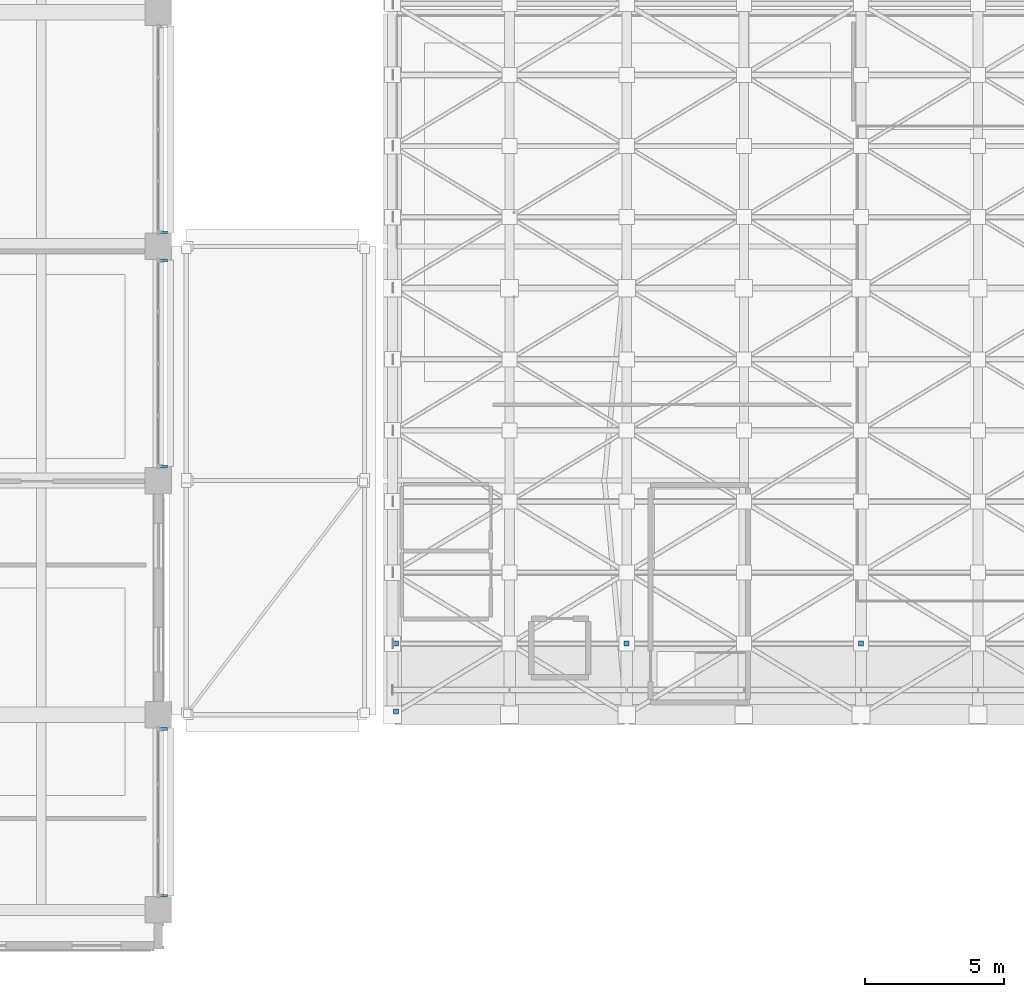
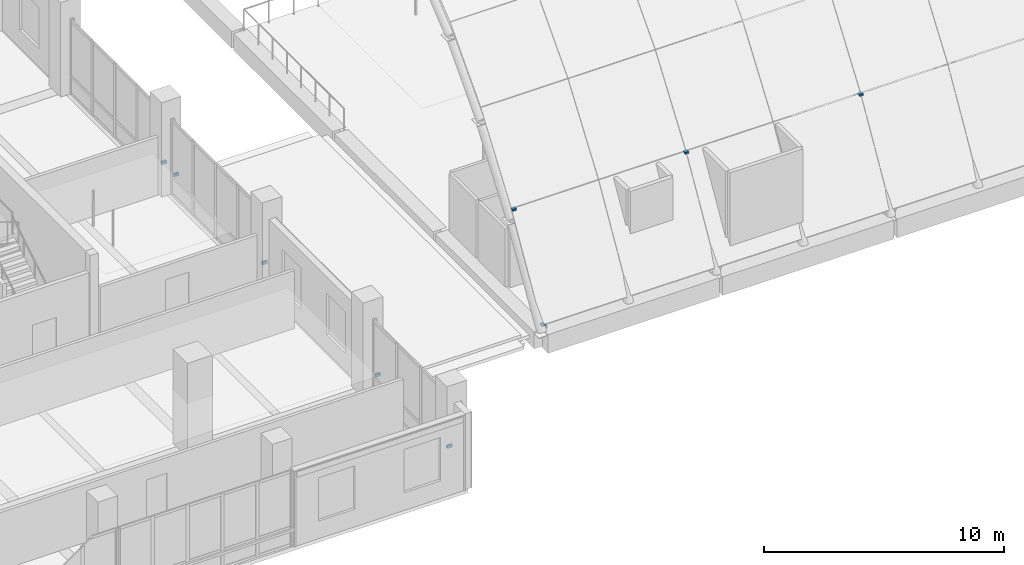
# One storey, part 80 of 128: 9 discrete accessories.
"""IFC4 building model written with IfcOpenShell, lengths in metres."""

from ifc_helpers import new_model, si_unit, direction, frame, origin, origin_2d, place, context, subcontext, project, spatial, rectangle, extrude, material, type_object, element, save


model = new_model("IFC4")

# Units and contexts
model_context = context("Model", 3, precision=1e-05, world=origin(), true_north=direction((0.0, 1.0)))
body_context = subcontext(model_context, "Body", "Model", "MODEL_VIEW")
ifc_project = project(units=[si_unit("LENGTHUNIT", "METRE"), si_unit("AREAUNIT", "SQUARE_METRE"), si_unit("VOLUMEUNIT", "CUBIC_METRE"), si_unit("PLANEANGLEUNIT", "RADIAN"), si_unit("MASSUNIT", "GRAM", prefix="KILO")], contexts=[model_context])

# Site, building, storey
site_placement = place(None, origin())
site = spatial("IfcSite", under=ifc_project, at=site_placement, CompositionType="ELEMENT")
building_placement = place(site_placement, origin())
building = spatial("IfcBuilding", under=site, at=building_placement, Name="Telukmera Botanical Conservatory", CompositionType="ELEMENT")
storey_placement = place(building_placement, frame((0.0, 0.0, 5.39990234375)))
storey = spatial("IfcBuildingStorey", under=building, at=storey_placement, Name="L01", CompositionType="ELEMENT", Elevation=5.39990234375)

# Discrete accessories
ifc_material = material(Name="Steel S355", Category="steel")
discrete_accessory_type_1 = type_object("IfcDiscreteAccessoryType", Name="Structural Steel Facade Outrigger Fin Bracket", PredefinedType="BRACKET", material=ifc_material)
for number, where, z_axis, x_axis, name in (
    (1, (109.39990234375, 11.109619140625, 0.88037109375), (0.0, 0.0, 1.0), (0.0, 1.0, 0.0), "Facade Outrigger Bracket V4:L01:E1 A"),
    (2, (109.39990234375, 17.090576171875, 0.88037109375), (0.0, 0.0, 1.0), (0.0, 1.0, 0.0), "Facade Outrigger Bracket V4:L01:E1 B"),
    (3, (109.39990234375, 26.509521484375, 0.88037109375), (0.0, 0.0, 1.0), (0.0, 1.0, 0.0), "Facade Outrigger Bracket V4:L01:E3 A"),
    (4, (109.39990234375, 33.890380859375, 0.88037109375), (0.0, 0.0, 1.0), (0.0, 1.0, 0.0), "Facade Outrigger Bracket V4:L01:E3 B"),
    (5, (109.39990234375, 34.909423828125, 0.88037109375), (0.0, 0.0, 1.0), (0.0, 1.0, 0.0), "Facade Outrigger Bracket V4:L01:E4 A"),
):
    element("IfcDiscreteAccessory", number, at=place(storey_placement, frame(where, z_axis=z_axis, x_axis=x_axis)), inside=storey, type_object=discrete_accessory_type_1, Name=name, PredefinedType="BRACKET", context=body_context, shape_type="SweptSolid", body=[
        extrude(rectangle(XDim=0.10009765625, YDim=0.239990234375, at=origin_2d()), origin(), (0.0, 0.0, 1.0), 0.139892578125),
    ])
discrete_accessory_type_2 = type_object("IfcDiscreteAccessoryType", Name="Structural Steel Gridshell Glazing Shoe Bracket", PredefinedType="BRACKET", material=ifc_material)
for number, where, z_axis, x_axis, name in (
    (6, (117.719970703125, 17.719970703125, 0.1650390625), (0.0, 0.0, 1.0), (1.0, 0.0, 0.0), "Conservatory Node Glazing Spider Bracket 00-00"),
    (7, (117.719970703125, 20.14990234375, 4.56494140625), (0.0, 0.0, 1.0), (1.0, 0.0, 0.0), "Conservatory Node Glazing Spider Bracket 00-01"),
    (8, (126.0, 20.14990234375, 4.56494140625), (0.0, 0.0, 1.0), (1.0, 0.0, 0.0), "Conservatory Node Glazing Spider Bracket 02-01"),
    (9, (134.39990234375, 20.14990234375, 4.56494140625), (0.0, 0.0, 1.0), (1.0, 0.0, 0.0), "Conservatory Node Glazing Spider Bracket 04-01"),
):
    element("IfcDiscreteAccessory", number, at=place(storey_placement, frame(where, z_axis=z_axis, x_axis=x_axis)), inside=storey, type_object=discrete_accessory_type_2, Name=name, PredefinedType="BRACKET", context=body_context, shape_type="SweptSolid", body=[
        extrude(rectangle(XDim=0.179931640625, YDim=0.179931640625, at=origin_2d()), origin(), (0.0, 0.0, 1.0), 0.094970703125),
    ])

save(model, "model.ifc")
